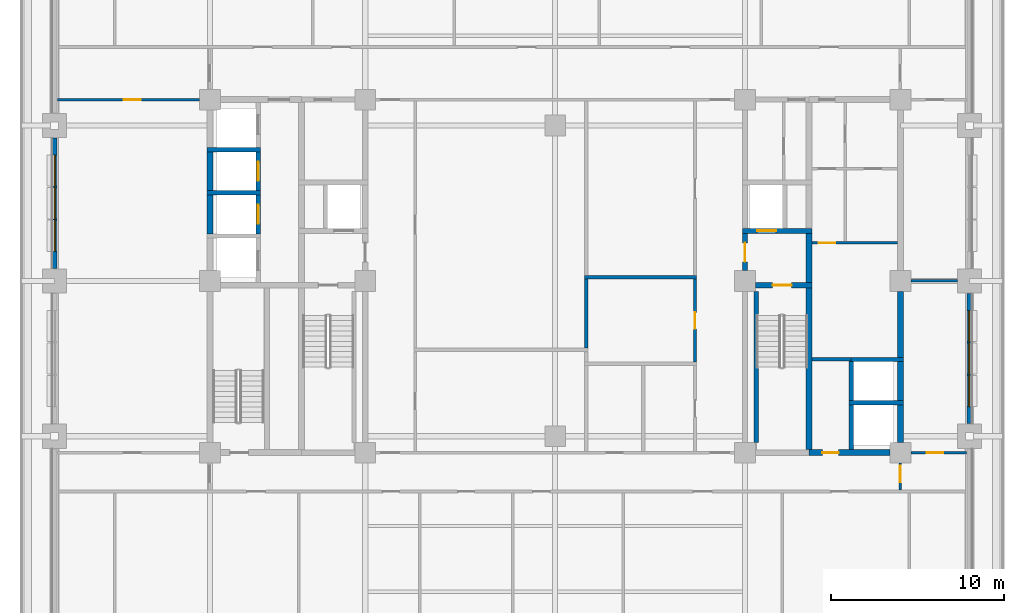
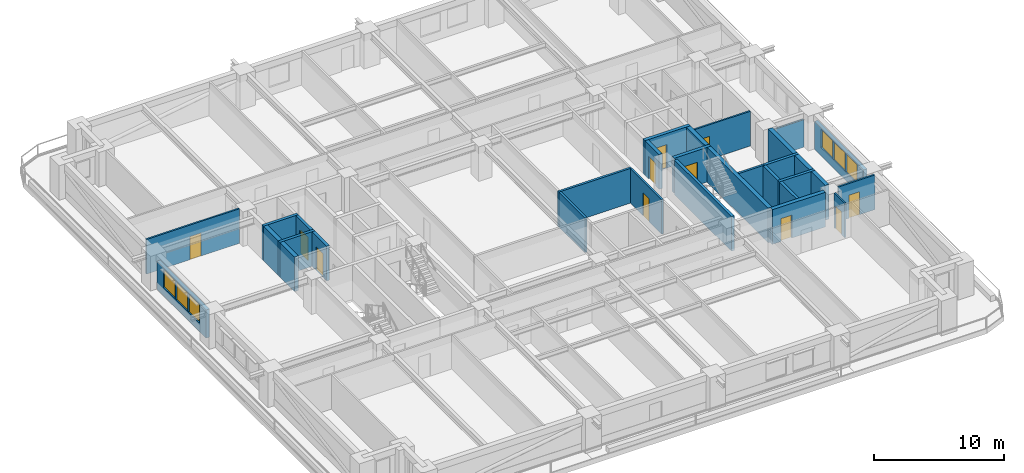
# One storey, part 4 of 16: 31 walls, 11 doors, 6 windows, 17 openings.
"""IFC4 building model written with IfcOpenShell, lengths in metres."""

from ifc_helpers import new_model, si_unit, direction, frame, frame_2d, origin, place, context, subcontext, project, spatial, rectangle, extrude, material, layer, layer_set, type_object, element, fill, save


model = new_model("IFC4")

# Units and contexts
model_context = context("Model", 3, precision=1e-05, world=origin(), true_north=direction((0.0, 1.0)))
body_context = subcontext(model_context, "Body", "Model", "MODEL_VIEW")
ifc_project = project(units=[si_unit("LENGTHUNIT", "METRE"), si_unit("AREAUNIT", "SQUARE_METRE"), si_unit("VOLUMEUNIT", "CUBIC_METRE"), si_unit("PLANEANGLEUNIT", "RADIAN"), si_unit("MASSUNIT", "GRAM", prefix="KILO")], contexts=[model_context])

# Site, building, storey
site_placement = place(None, origin())
site = spatial("IfcSite", under=ifc_project, at=site_placement, CompositionType="ELEMENT")
building_placement = place(site_placement, origin())
building = spatial("IfcBuilding", under=site, at=building_placement, Name="Zulmaris Gate Convention Tower", CompositionType="ELEMENT")
storey_placement = place(building_placement, frame((0.0, 0.0, 67.89990234375)))
storey = spatial("IfcBuildingStorey", under=building, at=storey_placement, Name="L16", CompositionType="ELEMENT", Elevation=67.89990234375)

# Walls
ifc_material_1 = material(Name="Concrete C50/60", Category="concrete")
ifc_layer_1 = layer(ifc_material_1, 0.25, Name="Concrete C50/60")
ifc_layer_set_1 = layer_set([ifc_layer_1], Name="Concrete C50/60")
wall_type_1 = type_object("IfcWallType", Name="CORE-250", PredefinedType="SOLIDWALL", material=ifc_layer_set_1)
for number, where, z_axis, x_axis, name in (
    (1, (17.02490234375, -7.050048828125, 0.0), (0.0, 0.0, 1.0), (1.0, 0.0, 0.0), "WL-L16-005"),
    (2, (17.02490234375, -4.550048828125, 0.0), (0.0, 0.0, 1.0), (1.0, 0.0, 0.0), "WL-L16-006"),
):
    element("IfcWall", number, at=place(storey_placement, frame(where, z_axis=z_axis, x_axis=x_axis)), inside=storey, type_object=wall_type_1, Name=name, PredefinedType="SOLIDWALL", context=body_context, shape_type="SweptSolid", body=[
        extrude(rectangle(XDim=3.150146484375, YDim=0.25, at=frame_2d((1.5751953125, 0.0))), origin(), (0.0, 0.0, 1.0), 3.2451171875),
    ])
for number, where, z_axis, x_axis, name in (
    (3, (-20.175048828125, 5.10009765625, 0.0), (0.0, 0.0, 1.0), (1.0, 0.0, 0.0), "WL-L16-012"),
    (4, (-20.175048828125, 7.60009765625, 0.0), (0.0, 0.0, 1.0), (1.0, 0.0, 0.0), "WL-L16-015"),
):
    element("IfcWall", number, at=place(storey_placement, frame(where, z_axis=z_axis, x_axis=x_axis)), inside=storey, type_object=wall_type_1, Name=name, PredefinedType="SOLIDWALL", context=body_context, shape_type="SweptSolid", body=[
        extrude(rectangle(XDim=3.10009765625, YDim=0.25, at=frame_2d((1.550048828125, 0.0))), origin(), (0.0, 0.0, 1.0), 3.2451171875),
    ])

# Wall, opening, door
wall_1_placement = place(storey_placement, frame((-17.199951171875, 2.72705078125, 0.0), z_axis=(0.0, 0.0, 1.0), x_axis=(0.0, 1.0, 0.0)))
wall_1 = element("IfcWall", 5, at=wall_1_placement, inside=storey, type_object=wall_type_1, Name="WL-L16-041", PredefinedType="SOLIDWALL", context=body_context, shape_type="SweptSolid", body=[
    extrude(rectangle(XDim=2.245849609375, YDim=0.25, at=frame_2d((1.123046875, 0.0))), origin(), (0.0, 0.0, 1.0), 3.2451171875),
])
opening_1_placement = place(wall_1_placement, frame((0.572998046875, 0.0, 0.0)))
opening_1 = element("IfcOpeningElement", 6, at=opening_1_placement, cuts=wall_1, Name="Opening D-06", PredefinedType="OPENING", context=body_context, shape_type="SweptSolid", body=[
    extrude(rectangle(XDim=1.10009765625, YDim=2.199951171875, at=frame_2d((0.550048828125, 1.10009765625))), frame((0.0, 0.135009765625, 0.0), z_axis=(0.0, -1.0, 0.0), x_axis=(1.0, 0.0, 0.0)), (0.0, 0.0, 1.0), 0.27001953125),
])
ifc_material_2 = material(Name="Brushed Stainless Steel", Category="steel")
door_type_1 = type_object("IfcDoorType", Name="LD-1100", OperationType="NOTDEFINED", PredefinedType="DOOR", material=ifc_material_2)
door_1_placement = place(opening_1_placement, origin())
door_1 = element("IfcDoor", 7, at=door_1_placement, inside=storey, type_object=door_type_1, Name="L16 Lift Landing Door LP-02 13", OperationType="SLIDING_TO_LEFT", OverallHeight=2.199951171875, OverallWidth=1.10009765625, PredefinedType="DOOR", context=body_context, shape_type="SweptSolid", body=[
    extrude(rectangle(XDim=1.10009765625, YDim=2.199951171875, at=frame_2d((0.550048828125, 1.10009765625))), frame((0.0, 0.02490234375, 0.0), z_axis=(0.0, -1.0, 0.0), x_axis=(1.0, 0.0, 0.0)), (0.0, 0.0, 1.0), 0.050048828125),
])
fill(opening_1, door_1)

wall_2_placement = place(storey_placement, frame((-17.199951171875, 5.22705078125, 0.0), z_axis=(0.0, 0.0, 1.0), x_axis=(0.0, 1.0, 0.0)))
wall_2 = element("IfcWall", 8, at=wall_2_placement, inside=storey, type_object=wall_type_1, Name="WL-L16-042", PredefinedType="SOLIDWALL", context=body_context, shape_type="SweptSolid", body=[
    extrude(rectangle(XDim=2.245849609375, YDim=0.25, at=frame_2d((1.123046875, 0.0))), origin(), (0.0, 0.0, 1.0), 3.2451171875),
])
opening_2_placement = place(wall_2_placement, frame((0.572998046875, 0.0, 0.0)))
opening_2 = element("IfcOpeningElement", 9, at=opening_2_placement, cuts=wall_2, Name="Opening D-06", PredefinedType="OPENING", context=body_context, shape_type="SweptSolid", body=[
    extrude(rectangle(XDim=1.10009765625, YDim=2.199951171875, at=frame_2d((0.550048828125, 1.10009765625))), frame((0.0, 0.135009765625, 0.0), z_axis=(0.0, -1.0, 0.0), x_axis=(1.0, 0.0, 0.0)), (0.0, 0.0, 1.0), 0.27001953125),
])
door_2_placement = place(opening_2_placement, origin())
door_2 = element("IfcDoor", 10, at=door_2_placement, inside=storey, type_object=door_type_1, Name="L16 Lift Landing Door LP-03 14", OperationType="SLIDING_TO_LEFT", OverallHeight=2.199951171875, OverallWidth=1.10009765625, PredefinedType="DOOR", context=body_context, shape_type="SweptSolid", body=[
    extrude(rectangle(XDim=1.10009765625, YDim=2.199951171875, at=frame_2d((0.550048828125, 1.10009765625))), frame((0.0, 0.02490234375, 0.0), z_axis=(0.0, -1.0, 0.0), x_axis=(1.0, 0.0, 0.0)), (0.0, 0.0, 1.0), 0.050048828125),
])
fill(opening_2, door_2)

# Walls
wall_3_placement = place(storey_placement, frame((11.64990234375, -9.345947265625, 0.0), z_axis=(0.0, 0.0, 1.0), x_axis=(0.0, 1.0, 0.0)))
element("IfcWall", 11, at=wall_3_placement, inside=storey, type_object=wall_type_1, Name="WL-L16-059", PredefinedType="SOLIDWALL", context=body_context, shape_type="SweptSolid", body=[
    extrude(rectangle(XDim=8.741943359375, YDim=0.25, at=frame_2d((4.37109375, 0.0))), origin(), (0.0, 0.0, 1.0), 3.2451171875),
])
wall_4_placement = place(storey_placement, frame((17.14990234375, -9.77294921875, 0.0), z_axis=(0.0, 0.0, 1.0), x_axis=(0.0, 1.0, 0.0)))
element("IfcWall", 12, at=wall_4_placement, inside=storey, type_object=wall_type_1, Name="WL-L16-065", PredefinedType="SOLIDWALL", context=body_context, shape_type="SweptSolid", body=[
    extrude(rectangle(XDim=2.595947265625, YDim=0.25, at=frame_2d((1.2978515625, 0.0))), origin(), (0.0, 0.0, 1.0), 3.2451171875),
])
wall_5_placement = place(storey_placement, frame((17.14990234375, -6.923095703125, 0.0), z_axis=(0.0, 0.0, 1.0), x_axis=(0.0, 1.0, 0.0)))
element("IfcWall", 13, at=wall_5_placement, inside=storey, type_object=wall_type_1, Name="WL-L16-066", PredefinedType="SOLIDWALL", context=body_context, shape_type="SweptSolid", body=[
    extrude(rectangle(XDim=2.24609375, YDim=0.25, at=frame_2d((1.123046875, 0.0))), origin(), (0.0, 0.0, 1.0), 3.2451171875),
])

# Wall, opening, door
ifc_layer_2 = layer(ifc_material_1, 0.300048828125, Name="Concrete C50/60")
ifc_layer_set_2 = layer_set([ifc_layer_2], Name="Concrete C50/60")
wall_type_2 = type_object("IfcWallType", Name="CORE-300", PredefinedType="SHEAR", material=ifc_layer_set_2)
wall_6_placement = place(storey_placement, frame((11.60400390625, -0.25, 0.0), z_axis=(0.0, 0.0, 1.0), x_axis=(1.0, 0.0, 0.0)))
wall_6 = element("IfcWall", 14, at=wall_6_placement, inside=storey, type_object=wall_type_2, Name="WL-L16-008", PredefinedType="SHEAR", context=body_context, shape_type="SweptSolid", body=[
    extrude(rectangle(XDim=3.27099609375, YDim=0.300048828125, at=frame_2d((1.635498046875, 0.0))), origin(), (0.0, 0.0, 1.0), 3.2451171875),
])
opening_3_placement = place(wall_6_placement, frame((0.99609375, 0.0, 0.0)))
opening_3 = element("IfcOpeningElement", 15, at=opening_3_placement, cuts=wall_6, Name="Opening D-08", PredefinedType="OPENING", context=body_context, shape_type="SweptSolid", body=[
    extrude(rectangle(XDim=1.10009765625, YDim=2.14990234375, at=frame_2d((0.550048828125, 1.074951171875))), frame((0.0, 0.16015625, 0.0), z_axis=(0.0, -1.0, 0.0), x_axis=(1.0, 0.0, 0.0)), (0.0, 0.0, 1.0), 0.320068359375),
])
ifc_material_3 = material(Name="Fire-Rated Steel", Category="steel")
door_type_2 = type_object("IfcDoorType", Name="DR-1100-FD", OperationType="NOTDEFINED", PredefinedType="DOOR", material=ifc_material_3)
door_3_placement = place(opening_3_placement, origin())
door_3 = element("IfcDoor", 16, at=door_3_placement, inside=storey, type_object=door_type_2, Name="L16 Exit Stair ST-2 Door 04", OperationType="SINGLE_SWING_RIGHT", OverallHeight=2.14990234375, OverallWidth=1.10009765625, PredefinedType="DOOR", context=body_context, shape_type="SweptSolid", body=[
    extrude(rectangle(XDim=1.10009765625, YDim=2.14990234375, at=frame_2d((0.550048828125, 1.074951171875))), frame((0.0, 0.02490234375, 0.0), z_axis=(0.0, -1.0, 0.0), x_axis=(1.0, 0.0, 0.0)), (0.0, 0.0, 1.0), 0.050048828125),
])
fill(opening_3, door_3)

wall_7_placement = place(storey_placement, frame((10.85009765625, 2.89990234375, 0.0), z_axis=(0.0, 0.0, 1.0), x_axis=(1.0, 0.0, 0.0)))
wall_7 = element("IfcWall", 17, at=wall_7_placement, inside=storey, type_object=wall_type_2, Name="WL-L16-011", PredefinedType="SHEAR", context=body_context, shape_type="SweptSolid", body=[
    extrude(rectangle(XDim=4.02490234375, YDim=0.300048828125, at=frame_2d((2.012451171875, 0.0))), origin(), (0.0, 0.0, 1.0), 3.2451171875),
])
opening_4_placement = place(wall_7_placement, frame((0.85009765625, 0.0, 0.0)))
opening_4 = element("IfcOpeningElement", 18, at=opening_4_placement, cuts=wall_7, Name="Opening D-06", PredefinedType="OPENING", context=body_context, shape_type="SweptSolid", body=[
    extrude(rectangle(XDim=1.10009765625, YDim=2.199951171875, at=frame_2d((0.550048828125, 1.10009765625))), frame((0.0, 0.16015625, 0.0), z_axis=(0.0, -1.0, 0.0), x_axis=(1.0, 0.0, 0.0)), (0.0, 0.0, 1.0), 0.320068359375),
])
door_4_placement = place(opening_4_placement, origin())
door_4 = element("IfcDoor", 19, at=door_4_placement, inside=storey, type_object=door_type_1, Name="L16 Lift Landing Door LF-02 06", OperationType="SLIDING_TO_RIGHT", OverallHeight=2.199951171875, OverallWidth=1.10009765625, PredefinedType="DOOR", context=body_context, shape_type="SweptSolid", body=[
    extrude(rectangle(XDim=1.10009765625, YDim=2.199951171875, at=frame_2d((0.550048828125, 1.10009765625))), frame((0.0, 0.02490234375, 0.0), z_axis=(0.0, -1.0, 0.0), x_axis=(1.0, 0.0, 0.0)), (0.0, 0.0, 1.0), 0.050048828125),
])
fill(opening_4, door_4)

wall_8_placement = place(storey_placement, frame((11.0, 0.60400390625, 0.0), z_axis=(0.0, 0.0, 1.0), x_axis=(0.0, 1.0, 0.0)))
wall_8 = element("IfcWall", 20, at=wall_8_placement, inside=storey, type_object=wall_type_2, Name="WL-L16-056", PredefinedType="SHEAR", context=body_context, shape_type="SweptSolid", body=[
    extrude(rectangle(XDim=2.14404296875, YDim=0.300048828125, at=frame_2d((1.072021484375, 0.0))), origin(), (0.0, 0.0, 1.0), 3.2451171875),
])
opening_5_placement = place(wall_8_placement, frame((0.49609375, 0.0, 0.0)))
opening_5 = element("IfcOpeningElement", 21, at=opening_5_placement, cuts=wall_8, Name="Opening D-08", PredefinedType="OPENING", context=body_context, shape_type="SweptSolid", body=[
    extrude(rectangle(XDim=1.10009765625, YDim=2.14990234375, at=frame_2d((0.550048828125, 1.074951171875))), frame((0.0, 0.16015625, 0.0), z_axis=(0.0, -1.0, 0.0), x_axis=(1.0, 0.0, 0.0)), (0.0, 0.0, 1.0), 0.320068359375),
])
door_5_placement = place(opening_5_placement, origin())
door_5 = element("IfcDoor", 22, at=door_5_placement, inside=storey, type_object=door_type_2, Name="L16 East Firefighting Lobby Door 05", OperationType="SINGLE_SWING_LEFT", OverallHeight=2.14990234375, OverallWidth=1.10009765625, PredefinedType="DOOR", context=body_context, shape_type="SweptSolid", body=[
    extrude(rectangle(XDim=1.10009765625, YDim=2.14990234375, at=frame_2d((0.550048828125, 1.074951171875))), frame((0.0, 0.02490234375, 0.0), z_axis=(0.0, -1.0, 0.0), x_axis=(1.0, 0.0, 0.0)), (0.0, 0.0, 1.0), 0.050048828125),
])
fill(opening_5, door_5)

ifc_material_4 = material(Name="Concrete C55/67", Category="concrete")
ifc_layer_3 = layer(ifc_material_4, 0.35009765625, Name="Concrete C55/67")
ifc_layer_set_3 = layer_set([ifc_layer_3], Name="Concrete C55/67")
wall_type_3 = type_object("IfcWallType", Name="CORE-350", PredefinedType="SHEAR", material=ifc_layer_set_3)
wall_9_placement = place(storey_placement, frame((14.699951171875, -9.949951171875, 0.0), z_axis=(0.0, 0.0, 1.0), x_axis=(1.0, 0.0, 0.0)))
wall_9 = element("IfcWall", 23, at=wall_9_placement, inside=storey, type_object=wall_type_3, Name="WL-L16-004", PredefinedType="SHEAR", context=body_context, shape_type="SweptSolid", body=[
    extrude(rectangle(XDim=4.696044921875, YDim=0.35009765625, at=frame_2d((2.34814453125, 0.0))), origin(), (0.0, 0.0, 1.0), 3.2451171875),
])
opening_6_placement = place(wall_9_placement, frame((0.77490234375, 0.0, 0.0)))
opening_6 = element("IfcOpeningElement", 24, at=opening_6_placement, cuts=wall_9, Name="Opening D-11", PredefinedType="OPENING", context=body_context, shape_type="SweptSolid", body=[
    extrude(rectangle(XDim=0.949951171875, YDim=2.14990234375, at=frame_2d((0.47509765625, 1.074951171875))), frame((0.0, 0.18505859375, 0.0), z_axis=(0.0, -1.0, 0.0), x_axis=(1.0, 0.0, 0.0)), (0.0, 0.0, 1.0), 0.3701171875),
])
ifc_material_5 = material(Name="Fire-Rated Timber", Category="wood")
door_type_3 = type_object("IfcDoorType", Name="DR-950-FD", OperationType="NOTDEFINED", PredefinedType="DOOR", material=ifc_material_5)
door_6_placement = place(opening_6_placement, origin())
door_6 = element("IfcDoor", 25, at=door_6_placement, inside=storey, type_object=door_type_3, Name="L16 East Cleaners Store Door 16", OperationType="SINGLE_SWING_LEFT", OverallHeight=2.14990234375, OverallWidth=0.949951171875, PredefinedType="DOOR", context=body_context, shape_type="SweptSolid", body=[
    extrude(rectangle(XDim=0.949951171875, YDim=2.14990234375, at=frame_2d((0.47509765625, 1.074951171875))), frame((0.0, 0.02490234375, 0.0), z_axis=(0.0, -1.0, 0.0), x_axis=(1.0, 0.0, 0.0)), (0.0, 0.0, 1.0), 0.050048828125),
])
fill(opening_6, door_6)

# Walls
for number, where, z_axis, x_axis, name in (
    (26, (-20.0, 2.72705078125, 0.0), (0.0, 0.0, 1.0), (0.0, 1.0, 0.0), "WL-L16-037"),
    (27, (-20.0, 5.22705078125, 0.0), (0.0, 0.0, 1.0), (0.0, 1.0, 0.0), "WL-L16-038"),
):
    element("IfcWall", number, at=place(storey_placement, frame(where, z_axis=z_axis, x_axis=x_axis)), inside=storey, type_object=wall_type_3, Name=name, PredefinedType="SHEAR", context=body_context, shape_type="SweptSolid", body=[
        extrude(rectangle(XDim=2.245849609375, YDim=0.35009765625, at=frame_2d((1.123046875, 0.0))), origin(), (0.0, 0.0, 1.0), 3.2451171875),
    ])
wall_10_placement = place(storey_placement, frame((14.699951171875, -9.77294921875, 0.0), z_axis=(0.0, 0.0, 1.0), x_axis=(0.0, 1.0, 0.0)))
element("IfcWall", 28, at=wall_10_placement, inside=storey, type_object=wall_type_3, Name="WL-L16-061", PredefinedType="SHEAR", context=body_context, shape_type="SweptSolid", body=[
    extrude(rectangle(XDim=9.370849609375, YDim=0.35009765625, at=frame_2d((4.685546875, 0.0))), origin(), (0.0, 0.0, 1.0), 3.2451171875),
])
wall_11_placement = place(storey_placement, frame((14.699951171875, -0.097900390625, 0.0), z_axis=(0.0, 0.0, 1.0), x_axis=(0.0, 1.0, 0.0)))
element("IfcWall", 29, at=wall_11_placement, inside=storey, type_object=wall_type_3, Name="WL-L16-062", PredefinedType="SHEAR", context=body_context, shape_type="SweptSolid", body=[
    extrude(rectangle(XDim=2.845947265625, YDim=0.35009765625, at=frame_2d((1.4228515625, 0.0))), origin(), (0.0, 0.0, 1.0), 3.2451171875),
])
wall_12_placement = place(storey_placement, frame((20.0, -9.345947265625, 0.0), z_axis=(0.0, 0.0, 1.0), x_axis=(0.0, 1.0, 0.0)))
element("IfcWall", 30, at=wall_12_placement, inside=storey, type_object=wall_type_3, Name="WL-L16-067", PredefinedType="SHEAR", context=body_context, shape_type="SweptSolid", body=[
    extrude(rectangle(XDim=2.1689453125, YDim=0.35009765625, at=frame_2d((1.08447265625, 0.0))), origin(), (0.0, 0.0, 1.0), 3.2451171875),
])
wall_13_placement = place(storey_placement, frame((20.0, -6.923095703125, 0.0), z_axis=(0.0, 0.0, 1.0), x_axis=(0.0, 1.0, 0.0)))
element("IfcWall", 31, at=wall_13_placement, inside=storey, type_object=wall_type_3, Name="WL-L16-068", PredefinedType="SHEAR", context=body_context, shape_type="SweptSolid", body=[
    extrude(rectangle(XDim=2.24609375, YDim=0.35009765625, at=frame_2d((1.123046875, 0.0))), origin(), (0.0, 0.0, 1.0), 3.2451171875),
])
wall_14_placement = place(storey_placement, frame((20.0, -4.423095703125, 0.0), z_axis=(0.0, 0.0, 1.0), x_axis=(0.0, 1.0, 0.0)))
element("IfcWall", 32, at=wall_14_placement, inside=storey, type_object=wall_type_3, Name="WL-L16-069", PredefinedType="SHEAR", context=body_context, shape_type="SweptSolid", body=[
    extrude(rectangle(XDim=3.819091796875, YDim=0.35009765625, at=frame_2d((1.90966796875, 0.0))), origin(), (0.0, 0.0, 1.0), 3.2451171875),
])

# Wall, opening, door
ifc_material_6 = material(Name="Gypsum Metal Stud Partition")
ifc_layer_4 = layer(ifc_material_6, 0.14990234375, Name="Gypsum Metal Stud Partition")
ifc_layer_set_4 = layer_set([ifc_layer_4], Name="Gypsum Metal Stud Partition")
wall_type_4 = type_object("IfcWallType", Name="PART-150", PredefinedType="PARTITIONING", material=ifc_layer_set_4)
wall_15_placement = place(storey_placement, frame((20.60595703125, -9.949951171875, 0.0), z_axis=(0.0, 0.0, 1.0), x_axis=(1.0, 0.0, 0.0)))
wall_15 = element("IfcWall", 33, at=wall_15_placement, inside=storey, type_object=wall_type_4, Name="WL-L16-023", PredefinedType="PARTITIONING", context=body_context, shape_type="SweptSolid", body=[
    extrude(rectangle(XDim=3.22900390625, YDim=0.14990234375, at=frame_2d((1.614501953125, 0.0))), origin(), (0.0, 0.0, 1.0), 3.2451171875),
])
opening_7_placement = place(wall_15_placement, frame((0.9189453125, 0.0, 0.0)))
opening_7 = element("IfcOpeningElement", 34, at=opening_7_placement, cuts=wall_15, Name="Opening D-11", PredefinedType="OPENING", context=body_context, shape_type="SweptSolid", body=[
    extrude(rectangle(XDim=0.949951171875, YDim=2.14990234375, at=frame_2d((0.47509765625, 1.074951171875))), frame((0.0, 0.0849609375, 0.0), z_axis=(0.0, -1.0, 0.0), x_axis=(1.0, 0.0, 0.0)), (0.0, 0.0, 1.0), 0.169921875),
])
door_7_placement = place(opening_7_placement, origin())
door_7 = element("IfcDoor", 35, at=door_7_placement, inside=storey, type_object=door_type_3, Name="L16 SE Partner Door 50", OperationType="SINGLE_SWING_LEFT", OverallHeight=2.14990234375, OverallWidth=0.949951171875, PredefinedType="DOOR", context=body_context, shape_type="SweptSolid", body=[
    extrude(rectangle(XDim=0.949951171875, YDim=2.14990234375, at=frame_2d((0.47509765625, 1.074951171875))), frame((0.0, 0.02490234375, 0.0), z_axis=(0.0, -1.0, 0.0), x_axis=(1.0, 0.0, 0.0)), (0.0, 0.0, 1.0), 0.050048828125),
])
fill(opening_7, door_7)

# Wall
wall_16_placement = place(storey_placement, frame((20.60595703125, 0.0, 0.0), z_axis=(0.0, 0.0, 1.0), x_axis=(1.0, 0.0, 0.0)))
element("IfcWall", 36, at=wall_16_placement, inside=storey, type_object=wall_type_4, Name="WL-L16-027", PredefinedType="PARTITIONING", context=body_context, shape_type="SweptSolid", body=[
    extrude(rectangle(XDim=2.68798828125, YDim=0.14990234375, at=frame_2d((1.343994140625, 0.0))), origin(), (0.0, 0.0, 1.0), 2.585205078125),
])

# Wall, opening, door
wall_17_placement = place(storey_placement, frame((14.8779296875, 2.199951171875, 0.0), z_axis=(0.0, 0.0, 1.0), x_axis=(1.0, 0.0, 0.0)))
wall_17 = element("IfcWall", 37, at=wall_17_placement, inside=storey, type_object=wall_type_4, Name="WL-L16-029", PredefinedType="PARTITIONING", context=body_context, shape_type="SweptSolid", body=[
    extrude(rectangle(XDim=4.944091796875, YDim=0.14990234375, at=frame_2d((2.47216796875, 0.0))), origin(), (0.0, 0.0, 1.0), 3.2451171875),
])
opening_8_placement = place(wall_17_placement, frame((0.39697265625, 0.0, 0.0)))
opening_8 = element("IfcOpeningElement", 38, at=opening_8_placement, cuts=wall_17, Name="Opening D-11", PredefinedType="OPENING", context=body_context, shape_type="SweptSolid", body=[
    extrude(rectangle(XDim=0.949951171875, YDim=2.14990234375, at=frame_2d((0.47509765625, 1.074951171875))), frame((0.0, 0.0849609375, 0.0), z_axis=(0.0, -1.0, 0.0), x_axis=(1.0, 0.0, 0.0)), (0.0, 0.0, 1.0), 0.169921875),
])
door_8_placement = place(opening_8_placement, origin())
door_8 = element("IfcDoor", 39, at=door_8_placement, inside=storey, type_object=door_type_3, Name="L16 East Switchroom Door 19", OperationType="SINGLE_SWING_RIGHT", OverallHeight=2.14990234375, OverallWidth=0.949951171875, PredefinedType="DOOR", context=body_context, shape_type="SweptSolid", body=[
    extrude(rectangle(XDim=0.949951171875, YDim=2.14990234375, at=frame_2d((0.47509765625, 1.074951171875))), frame((0.0, 0.02490234375, 0.0), z_axis=(0.0, -1.0, 0.0), x_axis=(1.0, 0.0, 0.0)), (0.0, 0.0, 1.0), 0.050048828125),
])
fill(opening_8, door_8)

wall_18_placement = place(storey_placement, frame((-28.8349609375, 10.5, 0.0), z_axis=(0.0, 0.0, 1.0), x_axis=(1.0, 0.0, 0.0)))
wall_18 = element("IfcWall", 40, at=wall_18_placement, inside=storey, type_object=wall_type_4, Name="WL-L16-031", PredefinedType="PARTITIONING", context=body_context, shape_type="SweptSolid", body=[
    extrude(rectangle(XDim=8.22900390625, YDim=0.14990234375, at=frame_2d((4.114501953125, 0.0))), origin(), (0.0, 0.0, 1.0), 3.2451171875),
])
opening_9_placement = place(wall_18_placement, frame((3.8349609375, 0.0, 0.0)))
opening_9 = element("IfcOpeningElement", 41, at=opening_9_placement, cuts=wall_18, Name="Opening D-10", PredefinedType="OPENING", context=body_context, shape_type="SweptSolid", body=[
    extrude(rectangle(XDim=1.0, YDim=2.14990234375, at=frame_2d((0.5, 1.074951171875))), frame((0.0, 0.0849609375, 0.0), z_axis=(0.0, -1.0, 0.0), x_axis=(1.0, 0.0, 0.0)), (0.0, 0.0, 1.0), 0.169921875),
])
door_type_4 = type_object("IfcDoorType", Name="DR-1000-FD", OperationType="NOTDEFINED", PredefinedType="DOOR", material=ifc_material_5)
door_9_placement = place(opening_9_placement, origin())
door_9 = element("IfcDoor", 42, at=door_9_placement, inside=storey, type_object=door_type_4, Name="L16 West Workplace North Door 45", OperationType="SINGLE_SWING_RIGHT", OverallHeight=2.14990234375, OverallWidth=1.0, PredefinedType="DOOR", context=body_context, shape_type="SweptSolid", body=[
    extrude(rectangle(XDim=1.0, YDim=2.14990234375, at=frame_2d((0.5, 1.074951171875))), frame((0.0, 0.02490234375, 0.0), z_axis=(0.0, -1.0, 0.0), x_axis=(1.0, 0.0, 0.0)), (0.0, 0.0, 1.0), 0.050048828125),
])
fill(opening_9, door_9)

wall_19_placement = place(storey_placement, frame((8.10009765625, -4.697021484375, 0.0), z_axis=(0.0, 0.0, 1.0), x_axis=(0.0, 1.0, 0.0)))
wall_19 = element("IfcWall", 43, at=wall_19_placement, inside=storey, type_object=wall_type_4, Name="WL-L16-089", PredefinedType="PARTITIONING", context=body_context, shape_type="SweptSolid", body=[
    extrude(rectangle(XDim=4.7939453125, YDim=0.14990234375, at=frame_2d((2.39697265625, 0.0))), origin(), (0.0, 0.0, 1.0), 3.2451171875),
])
opening_10_placement = place(wall_19_placement, frame((1.922119140625, 0.0, 0.0)))
opening_10 = element("IfcOpeningElement", 44, at=opening_10_placement, cuts=wall_19, Name="Opening D-11", PredefinedType="OPENING", context=body_context, shape_type="SweptSolid", body=[
    extrude(rectangle(XDim=0.949951171875, YDim=2.14990234375, at=frame_2d((0.47509765625, 1.074951171875))), frame((0.0, 0.0849609375, 0.0), z_axis=(0.0, -1.0, 0.0), x_axis=(1.0, 0.0, 0.0)), (0.0, 0.0, 1.0), 0.169921875),
])
door_10_placement = place(opening_10_placement, origin())
door_10 = element("IfcDoor", 45, at=door_10_placement, inside=storey, type_object=door_type_3, Name="L16 Public WC Door 40", OperationType="SINGLE_SWING_LEFT", OverallHeight=2.14990234375, OverallWidth=0.949951171875, PredefinedType="DOOR", context=body_context, shape_type="SweptSolid", body=[
    extrude(rectangle(XDim=0.949951171875, YDim=2.14990234375, at=frame_2d((0.47509765625, 1.074951171875))), frame((0.0, 0.02490234375, 0.0), z_axis=(0.0, -1.0, 0.0), x_axis=(1.0, 0.0, 0.0)), (0.0, 0.0, 1.0), 0.050048828125),
])
fill(opening_10, door_10)

wall_20_placement = place(storey_placement, frame((20.0, -12.1220703125, 0.0), z_axis=(0.0, 0.0, 1.0), x_axis=(0.0, 1.0, 0.0)))
wall_20 = element("IfcWall", 46, at=wall_20_placement, inside=storey, type_object=wall_type_4, Name="WL-L16-096", PredefinedType="PARTITIONING", context=body_context, shape_type="SweptSolid", body=[
    extrude(rectangle(XDim=1.566162109375, YDim=0.14990234375, at=frame_2d((0.783203125, 0.0))), origin(), (0.0, 0.0, 1.0), 3.2451171875),
])
opening_11_placement = place(wall_20_placement, frame((0.466064453125, 0.0, 0.0)))
opening_11 = element("IfcOpeningElement", 47, at=opening_11_placement, cuts=wall_20, Name="Opening D-11", PredefinedType="OPENING", context=body_context, shape_type="SweptSolid", body=[
    extrude(rectangle(XDim=0.949951171875, YDim=2.14990234375, at=frame_2d((0.47509765625, 1.074951171875))), frame((0.0, 0.0849609375, 0.0), z_axis=(0.0, -1.0, 0.0), x_axis=(1.0, 0.0, 0.0)), (0.0, 0.0, 1.0), 0.169921875),
])
door_11_placement = place(opening_11_placement, origin())
door_11 = element("IfcDoor", 48, at=door_11_placement, inside=storey, type_object=door_type_3, Name="L16 SE Spur Door 48", OperationType="SINGLE_SWING_LEFT", OverallHeight=2.14990234375, OverallWidth=0.949951171875, PredefinedType="DOOR", context=body_context, shape_type="SweptSolid", body=[
    extrude(rectangle(XDim=0.949951171875, YDim=2.14990234375, at=frame_2d((0.47509765625, 1.074951171875))), frame((0.0, 0.02490234375, 0.0), z_axis=(0.0, -1.0, 0.0), x_axis=(1.0, 0.0, 0.0)), (0.0, 0.0, 1.0), 0.050048828125),
])
fill(opening_11, door_11)

# Walls
ifc_material_7 = material(Name="Autoclaved Aerated Concrete Block and Plasterboard", Category="concrete")
ifc_layer_5 = layer(ifc_material_7, 0.199951171875, Name="Autoclaved Aerated Concrete Block and Plasterboard")
ifc_layer_set_5 = layer_set([ifc_layer_5], Name="Autoclaved Aerated Concrete Block and Plasterboard")
wall_type_5 = type_object("IfcWallType", Name="PART-200", PredefinedType="PARTITIONING", material=ifc_layer_set_5)
wall_21_placement = place(storey_placement, frame((14.8779296875, -4.550048828125, 0.0), z_axis=(0.0, 0.0, 1.0), x_axis=(1.0, 0.0, 0.0)))
element("IfcWall", 49, at=wall_21_placement, inside=storey, type_object=wall_type_5, Name="WL-L16-025", PredefinedType="PARTITIONING", context=body_context, shape_type="SweptSolid", body=[
    extrude(rectangle(XDim=2.27197265625, YDim=0.199951171875, at=frame_2d((1.135986328125, 0.0))), origin(), (0.0, 0.0, 1.0), 3.2451171875),
])
wall_22_placement = place(storey_placement, frame((1.699951171875, 0.199951171875, 0.0), z_axis=(0.0, 0.0, 1.0), x_axis=(1.0, 0.0, 0.0)))
element("IfcWall", 50, at=wall_22_placement, inside=storey, type_object=wall_type_5, Name="WL-L16-028", PredefinedType="PARTITIONING", context=body_context, shape_type="SweptSolid", body=[
    extrude(rectangle(XDim=6.47509765625, YDim=0.199951171875, at=frame_2d((3.237548828125, 0.0))), origin(), (0.0, 0.0, 1.0), 3.2451171875),
])
wall_23_placement = place(storey_placement, frame((1.800048828125, -3.89697265625, 0.0), z_axis=(0.0, 0.0, 1.0), x_axis=(0.0, 1.0, 0.0)))
element("IfcWall", 51, at=wall_23_placement, inside=storey, type_object=wall_type_5, Name="WL-L16-083", PredefinedType="PARTITIONING", context=body_context, shape_type="SweptSolid", body=[
    extrude(rectangle(XDim=3.993896484375, YDim=0.199951171875, at=frame_2d((1.9970703125, 0.0))), origin(), (0.0, 0.0, 1.0), 3.2451171875),
])

# Wall, openings, windows
ifc_material_8 = material(Name="Precast concrete C40/50", Category="concrete")
ifc_layer_6 = layer(ifc_material_8, 0.300048828125, Name="Precast concrete C40/50")
ifc_layer_set_6 = layer_set([ifc_layer_6], Name="Precast concrete C40/50")
wall_type_6 = type_object("IfcWallType", Name="PRECAST-PIER-300", PredefinedType="STANDARD", material=ifc_layer_set_6)
wall_24_placement = place(storey_placement, frame((24.0, -8.27001953125, 0.0), z_axis=(0.0, 0.0, 1.0), x_axis=(0.0, 1.0, 0.0)))
wall_24 = element("IfcWall", 52, at=wall_24_placement, inside=storey, type_object=wall_type_6, Name="EW-L16-E-1_0", PredefinedType="STANDARD", context=body_context, shape_type="SweptSolid", body=[
    extrude(rectangle(XDim=7.5400390625, YDim=0.300048828125, at=frame_2d((3.77001953125, 0.0))), origin(), (0.0, 0.0, 1.0), 2.63720703125),
])
opening_12_placement = place(wall_24_placement, frame((0.985107421875, 0.0, 0.780029296875)))
opening_12 = element("IfcOpeningElement", 53, at=opening_12_placement, cuts=wall_24, Name="Opening W-02", PredefinedType="OPENING", context=body_context, shape_type="SweptSolid", body=[
    extrude(rectangle(XDim=1.800048828125, YDim=1.719970703125, at=frame_2d((0.89990234375, 0.85986328125))), frame((0.0, 0.16015625, 0.0), z_axis=(0.0, -1.0, 0.0), x_axis=(1.0, 0.0, 0.0)), (0.0, 0.0, 1.0), 0.320068359375),
])
opening_13_placement = place(wall_24_placement, frame((2.8701171875, 0.0, 0.780029296875)))
opening_13 = element("IfcOpeningElement", 54, at=opening_13_placement, cuts=wall_24, Name="Opening W-02", PredefinedType="OPENING", context=body_context, shape_type="SweptSolid", body=[
    extrude(rectangle(XDim=1.800048828125, YDim=1.719970703125, at=frame_2d((0.89990234375, 0.85986328125))), frame((0.0, 0.16015625, 0.0), z_axis=(0.0, -1.0, 0.0), x_axis=(1.0, 0.0, 0.0)), (0.0, 0.0, 1.0), 0.320068359375),
])
opening_14_placement = place(wall_24_placement, frame((4.7548828125, 0.0, 0.780029296875)))
opening_14 = element("IfcOpeningElement", 55, at=opening_14_placement, cuts=wall_24, Name="Opening W-02", PredefinedType="OPENING", context=body_context, shape_type="SweptSolid", body=[
    extrude(rectangle(XDim=1.800048828125, YDim=1.719970703125, at=frame_2d((0.89990234375, 0.85986328125))), frame((0.0, 0.16015625, 0.0), z_axis=(0.0, -1.0, 0.0), x_axis=(1.0, 0.0, 0.0)), (0.0, 0.0, 1.0), 0.320068359375),
])
ifc_material_9 = material(Name="Low-E Laminated Double Glazing in Aluminium Frame", Category="aluminium")
window_type = type_object("IfcWindowType", Name="WIN-1800x2200", PartitioningType="SINGLE_PANEL", PredefinedType="WINDOW", material=ifc_material_9)
window_1_placement = place(opening_12_placement, origin())
window_1 = element("IfcWindow", 56, at=window_1_placement, inside=storey, type_object=window_type, Name="WN-EW-L16-E-1_0-1", OverallHeight=1.719970703125, OverallWidth=1.800048828125, PartitioningType="SINGLE_PANEL", PredefinedType="WINDOW", context=body_context, shape_type="SweptSolid", body=[
    extrude(rectangle(XDim=1.800048828125, YDim=1.719970703125, at=frame_2d((0.89990234375, 0.85986328125))), frame((0.0, 0.030029296875, 0.0), z_axis=(0.0, -1.0, 0.0), x_axis=(1.0, 0.0, 0.0)), (0.0, 0.0, 1.0), 0.06005859375),
])
fill(opening_12, window_1)
window_2_placement = place(opening_13_placement, origin())
window_2 = element("IfcWindow", 57, at=window_2_placement, inside=storey, type_object=window_type, Name="WN-EW-L16-E-1_0-2", OverallHeight=1.719970703125, OverallWidth=1.800048828125, PartitioningType="SINGLE_PANEL", PredefinedType="WINDOW", context=body_context, shape_type="SweptSolid", body=[
    extrude(rectangle(XDim=1.800048828125, YDim=1.719970703125, at=frame_2d((0.89990234375, 0.85986328125))), frame((0.0, 0.030029296875, 0.0), z_axis=(0.0, -1.0, 0.0), x_axis=(1.0, 0.0, 0.0)), (0.0, 0.0, 1.0), 0.06005859375),
])
fill(opening_13, window_2)
window_3_placement = place(opening_14_placement, origin())
window_3 = element("IfcWindow", 58, at=window_3_placement, inside=storey, type_object=window_type, Name="WN-EW-L16-E-1_0-3", OverallHeight=1.719970703125, OverallWidth=1.800048828125, PartitioningType="SINGLE_PANEL", PredefinedType="WINDOW", context=body_context, shape_type="SweptSolid", body=[
    extrude(rectangle(XDim=1.800048828125, YDim=1.719970703125, at=frame_2d((0.89990234375, 0.85986328125))), frame((0.0, 0.030029296875, 0.0), z_axis=(0.0, -1.0, 0.0), x_axis=(1.0, 0.0, 0.0)), (0.0, 0.0, 1.0), 0.06005859375),
])
fill(opening_14, window_3)

wall_25_placement = place(storey_placement, frame((-29.0, 8.27001953125, 0.0), z_axis=(0.0, 0.0, 1.0), x_axis=(0.0, -1.0, 0.0)))
wall_25 = element("IfcWall", 59, at=wall_25_placement, inside=storey, type_object=wall_type_6, Name="EW-L16-W-2_0", PredefinedType="STANDARD", context=body_context, shape_type="SweptSolid", body=[
    extrude(rectangle(XDim=7.5400390625, YDim=0.300048828125, at=frame_2d((3.77001953125, 0.0))), origin(), (0.0, 0.0, 1.0), 2.63720703125),
])
opening_15_placement = place(wall_25_placement, frame((0.985107421875, 0.0, 0.780029296875)))
opening_15 = element("IfcOpeningElement", 60, at=opening_15_placement, cuts=wall_25, Name="Opening W-02", PredefinedType="OPENING", context=body_context, shape_type="SweptSolid", body=[
    extrude(rectangle(XDim=1.800048828125, YDim=1.719970703125, at=frame_2d((0.89990234375, 0.85986328125))), frame((0.0, 0.16015625, 0.0), z_axis=(0.0, -1.0, 0.0), x_axis=(1.0, 0.0, 0.0)), (0.0, 0.0, 1.0), 0.320068359375),
])
opening_16_placement = place(wall_25_placement, frame((2.8701171875, 0.0, 0.780029296875)))
opening_16 = element("IfcOpeningElement", 61, at=opening_16_placement, cuts=wall_25, Name="Opening W-02", PredefinedType="OPENING", context=body_context, shape_type="SweptSolid", body=[
    extrude(rectangle(XDim=1.800048828125, YDim=1.719970703125, at=frame_2d((0.89990234375, 0.85986328125))), frame((0.0, 0.16015625, 0.0), z_axis=(0.0, -1.0, 0.0), x_axis=(1.0, 0.0, 0.0)), (0.0, 0.0, 1.0), 0.320068359375),
])
opening_17_placement = place(wall_25_placement, frame((4.7548828125, 0.0, 0.780029296875)))
opening_17 = element("IfcOpeningElement", 62, at=opening_17_placement, cuts=wall_25, Name="Opening W-02", PredefinedType="OPENING", context=body_context, shape_type="SweptSolid", body=[
    extrude(rectangle(XDim=1.800048828125, YDim=1.719970703125, at=frame_2d((0.89990234375, 0.85986328125))), frame((0.0, 0.16015625, 0.0), z_axis=(0.0, -1.0, 0.0), x_axis=(1.0, 0.0, 0.0)), (0.0, 0.0, 1.0), 0.320068359375),
])
window_4_placement = place(opening_15_placement, origin())
window_4 = element("IfcWindow", 63, at=window_4_placement, inside=storey, type_object=window_type, Name="WN-EW-L16-W-2_0-1", OverallHeight=1.719970703125, OverallWidth=1.800048828125, PartitioningType="SINGLE_PANEL", PredefinedType="WINDOW", context=body_context, shape_type="SweptSolid", body=[
    extrude(rectangle(XDim=1.800048828125, YDim=1.719970703125, at=frame_2d((0.89990234375, 0.85986328125))), frame((0.0, 0.030029296875, 0.0), z_axis=(0.0, -1.0, 0.0), x_axis=(1.0, 0.0, 0.0)), (0.0, 0.0, 1.0), 0.06005859375),
])
fill(opening_15, window_4)
window_5_placement = place(opening_16_placement, origin())
window_5 = element("IfcWindow", 64, at=window_5_placement, inside=storey, type_object=window_type, Name="WN-EW-L16-W-2_0-2", OverallHeight=1.719970703125, OverallWidth=1.800048828125, PartitioningType="SINGLE_PANEL", PredefinedType="WINDOW", context=body_context, shape_type="SweptSolid", body=[
    extrude(rectangle(XDim=1.800048828125, YDim=1.719970703125, at=frame_2d((0.89990234375, 0.85986328125))), frame((0.0, 0.030029296875, 0.0), z_axis=(0.0, -1.0, 0.0), x_axis=(1.0, 0.0, 0.0)), (0.0, 0.0, 1.0), 0.06005859375),
])
fill(opening_16, window_5)
window_6_placement = place(opening_17_placement, origin())
window_6 = element("IfcWindow", 65, at=window_6_placement, inside=storey, type_object=window_type, Name="WN-EW-L16-W-2_0-3", OverallHeight=1.719970703125, OverallWidth=1.800048828125, PartitioningType="SINGLE_PANEL", PredefinedType="WINDOW", context=body_context, shape_type="SweptSolid", body=[
    extrude(rectangle(XDim=1.800048828125, YDim=1.719970703125, at=frame_2d((0.89990234375, 0.85986328125))), frame((0.0, 0.030029296875, 0.0), z_axis=(0.0, -1.0, 0.0), x_axis=(1.0, 0.0, 0.0)), (0.0, 0.0, 1.0), 0.06005859375),
])
fill(opening_17, window_6)

save(model, "model.ifc")
